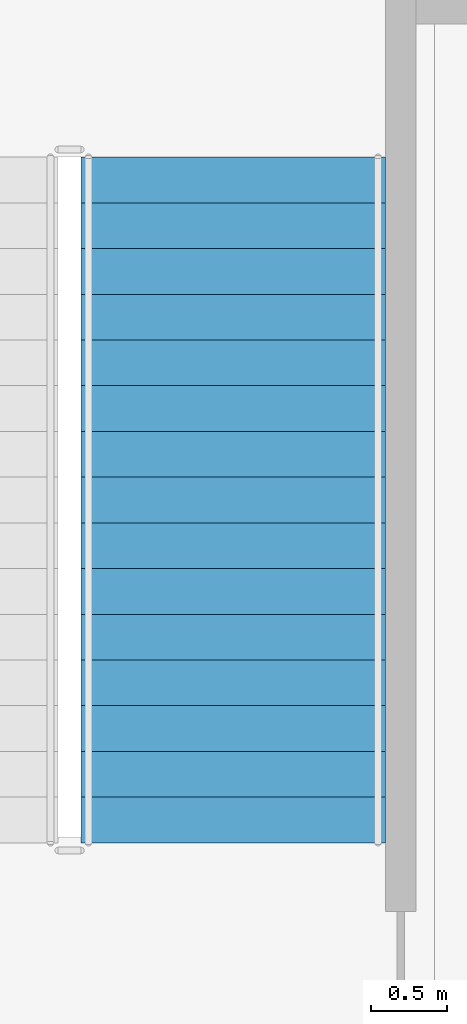
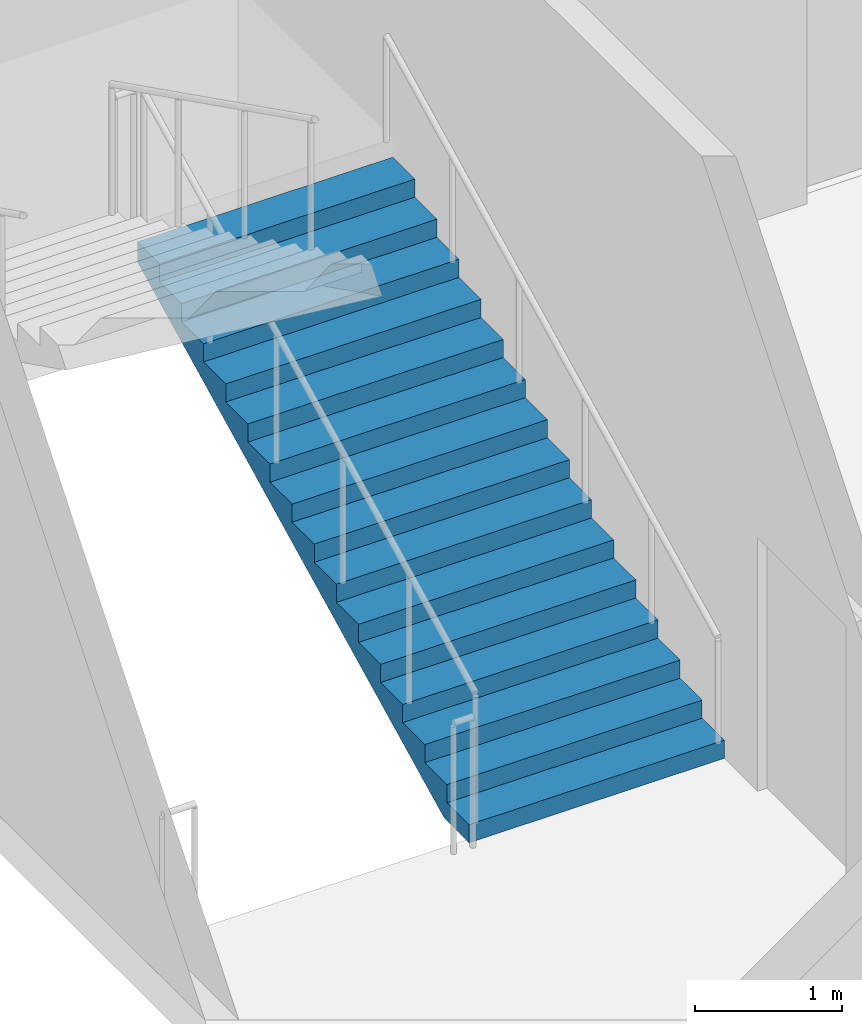
# One storey, part 53 of 67: 1 stair flight, 1 element without a shape of its own.
"""IFC4 building model written with IfcOpenShell, lengths in metres."""

from ifc_helpers import new_model, si_unit, direction, frame, origin, place, context, subcontext, project, spatial, faceted_brep, material, type_object, element, aggregate, save


model = new_model("IFC4")

# Units and contexts
model_context = context("Model", 3, precision=1e-05, world=origin(), true_north=direction((0.0, 1.0)))
body_context = subcontext(model_context, "Body", "Model", "MODEL_VIEW")
ifc_project = project(units=[si_unit("LENGTHUNIT", "METRE"), si_unit("AREAUNIT", "SQUARE_METRE"), si_unit("VOLUMEUNIT", "CUBIC_METRE"), si_unit("PLANEANGLEUNIT", "RADIAN"), si_unit("MASSUNIT", "GRAM", prefix="KILO")], contexts=[model_context])

# Site, building, storey
site_placement = place(None, origin())
site = spatial("IfcSite", under=ifc_project, at=site_placement, CompositionType="ELEMENT")
building_placement = place(site_placement, origin())
building = spatial("IfcBuilding", under=site, at=building_placement, Name="Kiln Court Media Centre", CompositionType="ELEMENT")
storey_placement = place(building_placement, frame((0.0, 0.0, 19.800048828125)))
storey = spatial("IfcBuildingStorey", under=building, at=storey_placement, Name="L04", CompositionType="ELEMENT", Elevation=19.800048828125)

# Stair, stair flight
ifc_material_1 = material(Name="Concrete C40/50", Category="concrete")
stair_type = type_object("IfcStairType", Name="Concrete C40/50 dog-leg stair 2000 wide, 150 riser", PredefinedType="HALF_TURN_STAIR", material=ifc_material_1)
stair_placement = place(storey_placement, origin())
stair = element("IfcStair", 1, at=stair_placement, inside=storey, type_object=stair_type, Name="ST-06 L04", PredefinedType="HALF_TURN_STAIR")
ifc_material_2 = material(Name="Concrete C40/50", Category="concrete")
stair_flight_type = type_object("IfcStairFlightType", Name="Concrete C40/50 stair flight 2000 wide, 150 riser, 300 going", PredefinedType="STRAIGHT", material=ifc_material_2)
stair_flight_placement = place(storey_placement, frame((3.60009765625, 36.39990234375, 0.0), z_axis=(0.0, 0.0, 1.0), x_axis=(0.0, 1.0, 0.0)))
stair_flight = element("IfcStairFlight", 2, at=stair_flight_placement, type_object=stair_flight_type, Name="L04-ST-5003 flight 5006", NumberOfRisers=16, NumberOfTreads=15, PredefinedType="STRAIGHT", RiserHeight=0.15, TreadLength=0.3, context=body_context, shape_type="Brep", body=[
    faceted_brep([(0.335205078125, -1.0, 0.0), (4.5, -1.0, 2.08251953125), (4.5, -1.0, 2.25), (4.199951171875, -1.0, 2.25), (4.199951171875, -1.0, 2.10009765625), (3.89990234375, -1.0, 2.10009765625), (3.89990234375, -1.0, 1.949951171875), (3.60009765625, -1.0, 1.949951171875), (3.60009765625, -1.0, 1.800048828125), (3.300048828125, -1.0, 1.800048828125), (3.300048828125, -1.0, 1.64990234375), (3.0, -1.0, 1.64990234375), (3.0, -1.0, 1.5), (2.699951171875, -1.0, 1.5), (2.699951171875, -1.0, 1.35009765625), (2.39990234375, -1.0, 1.35009765625), (2.39990234375, -1.0, 1.199951171875), (2.10009765625, -1.0, 1.199951171875), (2.10009765625, -1.0, 1.050048828125), (1.800048828125, -1.0, 1.050048828125), (1.800048828125, -1.0, 0.89990234375), (1.5, -1.0, 0.89990234375), (1.5, -1.0, 0.75), (1.199951171875, -1.0, 0.75), (1.199951171875, -1.0, 0.60009765625), (0.89990234375, -1.0, 0.60009765625), (0.89990234375, -1.0, 0.449951171875), (0.60009765625, -1.0, 0.449951171875), (0.60009765625, -1.0, 0.300048828125), (0.300048828125, -1.0, 0.300048828125), (0.300048828125, -1.0, 0.14990234375), (0.0, -1.0, 0.14990234375), (0.0, -1.0, 0.0), (0.0, 1.0, 0.0), (0.0, 1.0, 0.14990234375), (0.300048828125, 1.0, 0.14990234375), (0.300048828125, 1.0, 0.300048828125), (0.60009765625, 1.0, 0.300048828125), (0.60009765625, 1.0, 0.449951171875), (0.89990234375, 1.0, 0.449951171875), (0.89990234375, 1.0, 0.60009765625), (1.199951171875, 1.0, 0.60009765625), (1.199951171875, 1.0, 0.75), (1.5, 1.0, 0.75), (1.5, 1.0, 0.89990234375), (1.800048828125, 1.0, 0.89990234375), (1.800048828125, 1.0, 1.050048828125), (2.10009765625, 1.0, 1.050048828125), (2.10009765625, 1.0, 1.199951171875), (2.39990234375, 1.0, 1.199951171875), (2.39990234375, 1.0, 1.35009765625), (2.699951171875, 1.0, 1.35009765625), (2.699951171875, 1.0, 1.5), (3.0, 1.0, 1.5), (3.0, 1.0, 1.64990234375), (3.300048828125, 1.0, 1.64990234375), (3.300048828125, 1.0, 1.800048828125), (3.60009765625, 1.0, 1.800048828125), (3.60009765625, 1.0, 1.949951171875), (3.89990234375, 1.0, 1.949951171875), (3.89990234375, 1.0, 2.10009765625), (4.199951171875, 1.0, 2.10009765625), (4.199951171875, 1.0, 2.25), (4.5, 1.0, 2.25), (4.5, 1.0, 2.08251953125), (0.335205078125, 1.0, 0.0), (4.5, 0.10009765625, 2.08251953125), (0.335205078125, 0.10009765625, 0.0), (4.5, 0.080078125, 2.08251953125), (0.335205078125, 0.080078125, 0.0), (4.5, 0.06005859375, 2.08251953125), (0.335205078125, 0.06005859375, 0.0), (4.5, 0.0400390625, 2.08251953125), (0.335205078125, 0.0400390625, 0.0), (4.5, 0.02001953125, 2.08251953125), (0.335205078125, 0.02001953125, 0.0), (4.5, 0.0, 2.08251953125), (0.335205078125, 0.0, 0.0), (4.5, -0.02001953125, 2.08251953125), (0.335205078125, -0.02001953125, 0.0), (4.5, -0.0400390625, 2.08251953125), (0.335205078125, -0.0400390625, 0.0), (4.5, -0.06005859375, 2.08251953125), (0.335205078125, -0.06005859375, 0.0), (4.5, -0.080078125, 2.08251953125), (0.335205078125, -0.080078125, 0.0), (4.5, -0.10009765625, 2.08251953125), (0.335205078125, -0.10009765625, 0.0), (4.5, 0.10009765625, 2.25), (4.5, 0.080078125, 2.25), (4.5, 0.06005859375, 2.25), (4.5, 0.0400390625, 2.25), (4.5, 0.02001953125, 2.25), (4.5, 0.0, 2.25), (4.5, -0.02001953125, 2.25), (4.5, -0.0400390625, 2.25), (4.5, -0.06005859375, 2.25), (4.5, -0.080078125, 2.25), (4.5, -0.10009765625, 2.25), (4.199951171875, 0.10009765625, 2.25), (4.199951171875, 0.080078125, 2.25), (4.199951171875, 0.06005859375, 2.25), (4.199951171875, 0.0400390625, 2.25), (4.199951171875, 0.02001953125, 2.25), (4.199951171875, 0.0, 2.25), (4.199951171875, -0.02001953125, 2.25), (4.199951171875, -0.0400390625, 2.25), (4.199951171875, -0.06005859375, 2.25), (4.199951171875, -0.080078125, 2.25), (4.199951171875, -0.10009765625, 2.25), (4.199951171875, 0.10009765625, 2.10009765625), (4.199951171875, 0.080078125, 2.10009765625), (4.199951171875, 0.06005859375, 2.10009765625), (4.199951171875, 0.0400390625, 2.10009765625), (4.199951171875, 0.02001953125, 2.10009765625), (4.199951171875, 0.0, 2.10009765625), (4.199951171875, -0.02001953125, 2.10009765625), (4.199951171875, -0.0400390625, 2.10009765625), (4.199951171875, -0.06005859375, 2.10009765625), (4.199951171875, -0.080078125, 2.10009765625), (4.199951171875, -0.10009765625, 2.10009765625), (3.89990234375, 0.10009765625, 2.10009765625), (3.89990234375, 0.080078125, 2.10009765625), (3.89990234375, 0.06005859375, 2.10009765625), (3.89990234375, 0.0400390625, 2.10009765625), (3.89990234375, 0.02001953125, 2.10009765625), (3.89990234375, 0.0, 2.10009765625), (3.89990234375, -0.02001953125, 2.10009765625), (3.89990234375, -0.0400390625, 2.10009765625), (3.89990234375, -0.06005859375, 2.10009765625), (3.89990234375, -0.080078125, 2.10009765625), (3.89990234375, -0.10009765625, 2.10009765625), (3.89990234375, 0.10009765625, 1.949951171875), (3.89990234375, 0.080078125, 1.949951171875), (3.89990234375, 0.06005859375, 1.949951171875), (3.89990234375, 0.0400390625, 1.949951171875), (3.89990234375, 0.02001953125, 1.949951171875), (3.89990234375, 0.0, 1.949951171875), (3.89990234375, -0.02001953125, 1.949951171875), (3.89990234375, -0.0400390625, 1.949951171875), (3.89990234375, -0.06005859375, 1.949951171875), (3.89990234375, -0.080078125, 1.949951171875), (3.89990234375, -0.10009765625, 1.949951171875), (3.60009765625, 0.10009765625, 1.949951171875), (3.60009765625, 0.080078125, 1.949951171875), (3.60009765625, 0.06005859375, 1.949951171875), (3.60009765625, 0.0400390625, 1.949951171875), (3.60009765625, 0.02001953125, 1.949951171875), (3.60009765625, 0.0, 1.949951171875), (3.60009765625, -0.02001953125, 1.949951171875), (3.60009765625, -0.0400390625, 1.949951171875), (3.60009765625, -0.06005859375, 1.949951171875), (3.60009765625, -0.080078125, 1.949951171875), (3.60009765625, -0.10009765625, 1.949951171875), (3.60009765625, 0.10009765625, 1.800048828125), (3.60009765625, 0.080078125, 1.800048828125), (3.60009765625, 0.06005859375, 1.800048828125), (3.60009765625, 0.0400390625, 1.800048828125), (3.60009765625, 0.02001953125, 1.800048828125), (3.60009765625, 0.0, 1.800048828125), (3.60009765625, -0.02001953125, 1.800048828125), (3.60009765625, -0.0400390625, 1.800048828125), (3.60009765625, -0.06005859375, 1.800048828125), (3.60009765625, -0.080078125, 1.800048828125), (3.60009765625, -0.10009765625, 1.800048828125), (3.300048828125, 0.10009765625, 1.800048828125), (3.300048828125, 0.080078125, 1.800048828125), (3.300048828125, 0.06005859375, 1.800048828125), (3.300048828125, 0.0400390625, 1.800048828125), (3.300048828125, 0.02001953125, 1.800048828125), (3.300048828125, 0.0, 1.800048828125), (3.300048828125, -0.02001953125, 1.800048828125), (3.300048828125, -0.0400390625, 1.800048828125), (3.300048828125, -0.06005859375, 1.800048828125), (3.300048828125, -0.080078125, 1.800048828125), (3.300048828125, -0.10009765625, 1.800048828125), (3.300048828125, 0.10009765625, 1.64990234375), (3.300048828125, 0.080078125, 1.64990234375), (3.300048828125, 0.06005859375, 1.64990234375), (3.300048828125, 0.0400390625, 1.64990234375), (3.300048828125, 0.02001953125, 1.64990234375), (3.300048828125, 0.0, 1.64990234375), (3.300048828125, -0.02001953125, 1.64990234375), (3.300048828125, -0.0400390625, 1.64990234375), (3.300048828125, -0.06005859375, 1.64990234375), (3.300048828125, -0.080078125, 1.64990234375), (3.300048828125, -0.10009765625, 1.64990234375), (3.0, 0.10009765625, 1.64990234375), (3.0, 0.080078125, 1.64990234375), (3.0, 0.06005859375, 1.64990234375), (3.0, 0.0400390625, 1.64990234375), (3.0, 0.02001953125, 1.64990234375), (3.0, 0.0, 1.64990234375), (3.0, -0.02001953125, 1.64990234375), (3.0, -0.0400390625, 1.64990234375), (3.0, -0.06005859375, 1.64990234375), (3.0, -0.080078125, 1.64990234375), (3.0, -0.10009765625, 1.64990234375), (3.0, 0.10009765625, 1.5), (3.0, 0.080078125, 1.5), (3.0, 0.06005859375, 1.5), (3.0, 0.0400390625, 1.5), (3.0, 0.02001953125, 1.5), (3.0, 0.0, 1.5), (3.0, -0.02001953125, 1.5), (3.0, -0.0400390625, 1.5), (3.0, -0.06005859375, 1.5), (3.0, -0.080078125, 1.5), (3.0, -0.10009765625, 1.5), (2.699951171875, 0.10009765625, 1.5), (2.699951171875, 0.080078125, 1.5), (2.699951171875, 0.06005859375, 1.5), (2.699951171875, 0.0400390625, 1.5), (2.699951171875, 0.02001953125, 1.5), (2.699951171875, 0.0, 1.5), (2.699951171875, -0.02001953125, 1.5), (2.699951171875, -0.0400390625, 1.5), (2.699951171875, -0.06005859375, 1.5), (2.699951171875, -0.080078125, 1.5), (2.699951171875, -0.10009765625, 1.5), (2.699951171875, 0.10009765625, 1.35009765625), (2.699951171875, 0.080078125, 1.35009765625), (2.699951171875, 0.06005859375, 1.35009765625), (2.699951171875, 0.0400390625, 1.35009765625), (2.699951171875, 0.02001953125, 1.35009765625), (2.699951171875, 0.0, 1.35009765625), (2.699951171875, -0.02001953125, 1.35009765625), (2.699951171875, -0.0400390625, 1.35009765625), (2.699951171875, -0.06005859375, 1.35009765625), (2.699951171875, -0.080078125, 1.35009765625), (2.699951171875, -0.10009765625, 1.35009765625), (2.39990234375, 0.10009765625, 1.35009765625), (2.39990234375, 0.080078125, 1.35009765625), (2.39990234375, 0.06005859375, 1.35009765625), (2.39990234375, 0.0400390625, 1.35009765625), (2.39990234375, 0.02001953125, 1.35009765625), (2.39990234375, 0.0, 1.35009765625), (2.39990234375, -0.02001953125, 1.35009765625), (2.39990234375, -0.0400390625, 1.35009765625), (2.39990234375, -0.06005859375, 1.35009765625), (2.39990234375, -0.080078125, 1.35009765625), (2.39990234375, -0.10009765625, 1.35009765625), (2.39990234375, 0.10009765625, 1.199951171875), (2.39990234375, 0.080078125, 1.199951171875), (2.39990234375, 0.06005859375, 1.199951171875), (2.39990234375, 0.0400390625, 1.199951171875), (2.39990234375, 0.02001953125, 1.199951171875), (2.39990234375, 0.0, 1.199951171875), (2.39990234375, -0.02001953125, 1.199951171875), (2.39990234375, -0.0400390625, 1.199951171875), (2.39990234375, -0.06005859375, 1.199951171875), (2.39990234375, -0.080078125, 1.199951171875), (2.39990234375, -0.10009765625, 1.199951171875), (2.10009765625, 0.10009765625, 1.199951171875), (2.10009765625, 0.080078125, 1.199951171875), (2.10009765625, 0.06005859375, 1.199951171875), (2.10009765625, 0.0400390625, 1.199951171875), (2.10009765625, 0.02001953125, 1.199951171875), (2.10009765625, 0.0, 1.199951171875), (2.10009765625, -0.02001953125, 1.199951171875), (2.10009765625, -0.0400390625, 1.199951171875), (2.10009765625, -0.06005859375, 1.199951171875), (2.10009765625, -0.080078125, 1.199951171875), (2.10009765625, -0.10009765625, 1.199951171875), (2.10009765625, 0.10009765625, 1.050048828125), (2.10009765625, 0.080078125, 1.050048828125), (2.10009765625, 0.06005859375, 1.050048828125), (2.10009765625, 0.0400390625, 1.050048828125), (2.10009765625, 0.02001953125, 1.050048828125), (2.10009765625, 0.0, 1.050048828125), (2.10009765625, -0.02001953125, 1.050048828125), (2.10009765625, -0.0400390625, 1.050048828125), (2.10009765625, -0.06005859375, 1.050048828125), (2.10009765625, -0.080078125, 1.050048828125), (2.10009765625, -0.10009765625, 1.050048828125), (1.800048828125, 0.10009765625, 1.050048828125), (1.800048828125, 0.080078125, 1.050048828125), (1.800048828125, 0.06005859375, 1.050048828125), (1.800048828125, 0.0400390625, 1.050048828125), (1.800048828125, 0.02001953125, 1.050048828125), (1.800048828125, 0.0, 1.050048828125), (1.800048828125, -0.02001953125, 1.050048828125), (1.800048828125, -0.0400390625, 1.050048828125), (1.800048828125, -0.06005859375, 1.050048828125), (1.800048828125, -0.080078125, 1.050048828125), (1.800048828125, -0.10009765625, 1.050048828125), (1.800048828125, 0.10009765625, 0.89990234375), (1.800048828125, 0.080078125, 0.89990234375), (1.800048828125, 0.06005859375, 0.89990234375), (1.800048828125, 0.0400390625, 0.89990234375), (1.800048828125, 0.02001953125, 0.89990234375), (1.800048828125, 0.0, 0.89990234375), (1.800048828125, -0.02001953125, 0.89990234375), (1.800048828125, -0.0400390625, 0.89990234375), (1.800048828125, -0.06005859375, 0.89990234375), (1.800048828125, -0.080078125, 0.89990234375), (1.800048828125, -0.10009765625, 0.89990234375), (1.5, 0.10009765625, 0.89990234375), (1.5, 0.080078125, 0.89990234375), (1.5, 0.06005859375, 0.89990234375), (1.5, 0.0400390625, 0.89990234375), (1.5, 0.02001953125, 0.89990234375), (1.5, 0.0, 0.89990234375), (1.5, -0.02001953125, 0.89990234375), (1.5, -0.0400390625, 0.89990234375), (1.5, -0.06005859375, 0.89990234375), (1.5, -0.080078125, 0.89990234375), (1.5, -0.10009765625, 0.89990234375), (1.5, 0.10009765625, 0.75), (1.5, 0.080078125, 0.75), (1.5, 0.06005859375, 0.75), (1.5, 0.0400390625, 0.75), (1.5, 0.02001953125, 0.75), (1.5, 0.0, 0.75), (1.5, -0.02001953125, 0.75), (1.5, -0.0400390625, 0.75), (1.5, -0.06005859375, 0.75), (1.5, -0.080078125, 0.75), (1.5, -0.10009765625, 0.75), (1.199951171875, 0.10009765625, 0.75), (1.199951171875, 0.080078125, 0.75), (1.199951171875, 0.06005859375, 0.75), (1.199951171875, 0.0400390625, 0.75), (1.199951171875, 0.02001953125, 0.75), (1.199951171875, 0.0, 0.75), (1.199951171875, -0.02001953125, 0.75), (1.199951171875, -0.0400390625, 0.75), (1.199951171875, -0.06005859375, 0.75), (1.199951171875, -0.080078125, 0.75), (1.199951171875, -0.10009765625, 0.75), (1.199951171875, 0.10009765625, 0.60009765625), (1.199951171875, 0.080078125, 0.60009765625), (1.199951171875, 0.06005859375, 0.60009765625), (1.199951171875, 0.0400390625, 0.60009765625), (1.199951171875, 0.02001953125, 0.60009765625), (1.199951171875, 0.0, 0.60009765625), (1.199951171875, -0.02001953125, 0.60009765625), (1.199951171875, -0.0400390625, 0.60009765625), (1.199951171875, -0.06005859375, 0.60009765625), (1.199951171875, -0.080078125, 0.60009765625), (1.199951171875, -0.10009765625, 0.60009765625), (0.89990234375, 0.10009765625, 0.60009765625), (0.89990234375, 0.080078125, 0.60009765625), (0.89990234375, 0.06005859375, 0.60009765625), (0.89990234375, 0.0400390625, 0.60009765625), (0.89990234375, 0.02001953125, 0.60009765625), (0.89990234375, 0.0, 0.60009765625), (0.89990234375, -0.02001953125, 0.60009765625), (0.89990234375, -0.0400390625, 0.60009765625), (0.89990234375, -0.06005859375, 0.60009765625), (0.89990234375, -0.080078125, 0.60009765625), (0.89990234375, -0.10009765625, 0.60009765625), (0.89990234375, 0.10009765625, 0.449951171875), (0.89990234375, 0.080078125, 0.449951171875), (0.89990234375, 0.06005859375, 0.449951171875), (0.89990234375, 0.0400390625, 0.449951171875), (0.89990234375, 0.02001953125, 0.449951171875), (0.89990234375, 0.0, 0.449951171875), (0.89990234375, -0.02001953125, 0.449951171875), (0.89990234375, -0.0400390625, 0.449951171875), (0.89990234375, -0.06005859375, 0.449951171875), (0.89990234375, -0.080078125, 0.449951171875), (0.89990234375, -0.10009765625, 0.449951171875), (0.60009765625, 0.10009765625, 0.449951171875), (0.60009765625, 0.080078125, 0.449951171875), (0.60009765625, 0.06005859375, 0.449951171875), (0.60009765625, 0.0400390625, 0.449951171875), (0.60009765625, 0.02001953125, 0.449951171875), (0.60009765625, 0.0, 0.449951171875), (0.60009765625, -0.02001953125, 0.449951171875), (0.60009765625, -0.0400390625, 0.449951171875), (0.60009765625, -0.06005859375, 0.449951171875), (0.60009765625, -0.080078125, 0.449951171875), (0.60009765625, -0.10009765625, 0.449951171875), (0.60009765625, 0.10009765625, 0.300048828125), (0.60009765625, 0.080078125, 0.300048828125), (0.60009765625, 0.06005859375, 0.300048828125), (0.60009765625, 0.0400390625, 0.300048828125), (0.60009765625, 0.02001953125, 0.300048828125), (0.60009765625, 0.0, 0.300048828125), (0.60009765625, -0.02001953125, 0.300048828125), (0.60009765625, -0.0400390625, 0.300048828125), (0.60009765625, -0.06005859375, 0.300048828125), (0.60009765625, -0.080078125, 0.300048828125), (0.60009765625, -0.10009765625, 0.300048828125), (0.300048828125, 0.10009765625, 0.300048828125), (0.300048828125, 0.080078125, 0.300048828125), (0.300048828125, 0.06005859375, 0.300048828125), (0.300048828125, 0.0400390625, 0.300048828125), (0.300048828125, 0.02001953125, 0.300048828125), (0.300048828125, 0.0, 0.300048828125), (0.300048828125, -0.02001953125, 0.300048828125), (0.300048828125, -0.0400390625, 0.300048828125), (0.300048828125, -0.06005859375, 0.300048828125), (0.300048828125, -0.080078125, 0.300048828125), (0.300048828125, -0.10009765625, 0.300048828125), (0.300048828125, 0.10009765625, 0.14990234375), (0.300048828125, 0.080078125, 0.14990234375), (0.300048828125, 0.06005859375, 0.14990234375), (0.300048828125, 0.0400390625, 0.14990234375), (0.300048828125, 0.02001953125, 0.14990234375), (0.300048828125, 0.0, 0.14990234375), (0.300048828125, -0.02001953125, 0.14990234375), (0.300048828125, -0.0400390625, 0.14990234375), (0.300048828125, -0.06005859375, 0.14990234375), (0.300048828125, -0.080078125, 0.14990234375), (0.300048828125, -0.10009765625, 0.14990234375), (0.0, 0.10009765625, 0.14990234375), (0.0, 0.080078125, 0.14990234375), (0.0, 0.06005859375, 0.14990234375), (0.0, 0.0400390625, 0.14990234375), (0.0, 0.02001953125, 0.14990234375), (0.0, 0.0, 0.14990234375), (0.0, -0.02001953125, 0.14990234375), (0.0, -0.0400390625, 0.14990234375), (0.0, -0.06005859375, 0.14990234375), (0.0, -0.080078125, 0.14990234375), (0.0, -0.10009765625, 0.14990234375), (0.0, 0.10009765625, 0.0), (0.0, 0.080078125, 0.0), (0.0, 0.06005859375, 0.0), (0.0, 0.0400390625, 0.0), (0.0, 0.02001953125, 0.0), (0.0, 0.0, 0.0), (0.0, -0.02001953125, 0.0), (0.0, -0.0400390625, 0.0), (0.0, -0.06005859375, 0.0), (0.0, -0.080078125, 0.0), (0.0, -0.10009765625, 0.0)], [[[0, 1, 2, 3, 4, 5, 6, 7, 8, 9, 10, 11, 12, 13, 14, 15, 16, 17, 18, 19, 20, 21, 22, 23, 24, 25, 26, 27, 28, 29, 30, 31, 32]], [[33, 34, 35, 36, 37, 38, 39, 40, 41, 42, 43, 44, 45, 46, 47, 48, 49, 50, 51, 52, 53, 54, 55, 56, 57, 58, 59, 60, 61, 62, 63, 64, 65]], [[65, 64, 66, 67]], [[67, 66, 68, 69]], [[69, 68, 70, 71]], [[71, 70, 72, 73]], [[73, 72, 74, 75]], [[75, 74, 76, 77]], [[77, 76, 78, 79]], [[79, 78, 80, 81]], [[81, 80, 82, 83]], [[83, 82, 84, 85]], [[85, 84, 86, 87]], [[87, 86, 1, 0]], [[64, 63, 88, 66]], [[66, 88, 89, 68]], [[68, 89, 90, 70]], [[70, 90, 91, 72]], [[72, 91, 92, 74]], [[74, 92, 93, 76]], [[76, 93, 94, 78]], [[78, 94, 95, 80]], [[80, 95, 96, 82]], [[82, 96, 97, 84]], [[84, 97, 98, 86]], [[86, 98, 2, 1]], [[63, 62, 99, 88]], [[88, 99, 100, 89]], [[89, 100, 101, 90]], [[90, 101, 102, 91]], [[91, 102, 103, 92]], [[92, 103, 104, 93]], [[93, 104, 105, 94]], [[94, 105, 106, 95]], [[95, 106, 107, 96]], [[96, 107, 108, 97]], [[97, 108, 109, 98]], [[98, 109, 3, 2]], [[62, 61, 110, 99]], [[99, 110, 111, 100]], [[100, 111, 112, 101]], [[101, 112, 113, 102]], [[102, 113, 114, 103]], [[103, 114, 115, 104]], [[104, 115, 116, 105]], [[105, 116, 117, 106]], [[106, 117, 118, 107]], [[107, 118, 119, 108]], [[108, 119, 120, 109]], [[109, 120, 4, 3]], [[61, 60, 121, 110]], [[110, 121, 122, 111]], [[111, 122, 123, 112]], [[112, 123, 124, 113]], [[113, 124, 125, 114]], [[114, 125, 126, 115]], [[115, 126, 127, 116]], [[116, 127, 128, 117]], [[117, 128, 129, 118]], [[118, 129, 130, 119]], [[119, 130, 131, 120]], [[120, 131, 5, 4]], [[60, 59, 132, 121]], [[121, 132, 133, 122]], [[122, 133, 134, 123]], [[123, 134, 135, 124]], [[124, 135, 136, 125]], [[125, 136, 137, 126]], [[126, 137, 138, 127]], [[127, 138, 139, 128]], [[128, 139, 140, 129]], [[129, 140, 141, 130]], [[130, 141, 142, 131]], [[131, 142, 6, 5]], [[59, 58, 143, 132]], [[132, 143, 144, 133]], [[133, 144, 145, 134]], [[134, 145, 146, 135]], [[135, 146, 147, 136]], [[136, 147, 148, 137]], [[137, 148, 149, 138]], [[138, 149, 150, 139]], [[139, 150, 151, 140]], [[140, 151, 152, 141]], [[141, 152, 153, 142]], [[142, 153, 7, 6]], [[58, 57, 154, 143]], [[143, 154, 155, 144]], [[144, 155, 156, 145]], [[145, 156, 157, 146]], [[146, 157, 158, 147]], [[147, 158, 159, 148]], [[148, 159, 160, 149]], [[149, 160, 161, 150]], [[150, 161, 162, 151]], [[151, 162, 163, 152]], [[152, 163, 164, 153]], [[153, 164, 8, 7]], [[57, 56, 165, 154]], [[154, 165, 166, 155]], [[155, 166, 167, 156]], [[156, 167, 168, 157]], [[157, 168, 169, 158]], [[158, 169, 170, 159]], [[159, 170, 171, 160]], [[160, 171, 172, 161]], [[161, 172, 173, 162]], [[162, 173, 174, 163]], [[163, 174, 175, 164]], [[164, 175, 9, 8]], [[56, 55, 176, 165]], [[165, 176, 177, 166]], [[166, 177, 178, 167]], [[167, 178, 179, 168]], [[168, 179, 180, 169]], [[169, 180, 181, 170]], [[170, 181, 182, 171]], [[171, 182, 183, 172]], [[172, 183, 184, 173]], [[173, 184, 185, 174]], [[174, 185, 186, 175]], [[175, 186, 10, 9]], [[55, 54, 187, 176]], [[176, 187, 188, 177]], [[177, 188, 189, 178]], [[178, 189, 190, 179]], [[179, 190, 191, 180]], [[180, 191, 192, 181]], [[181, 192, 193, 182]], [[182, 193, 194, 183]], [[183, 194, 195, 184]], [[184, 195, 196, 185]], [[185, 196, 197, 186]], [[186, 197, 11, 10]], [[54, 53, 198, 187]], [[187, 198, 199, 188]], [[188, 199, 200, 189]], [[189, 200, 201, 190]], [[190, 201, 202, 191]], [[191, 202, 203, 192]], [[192, 203, 204, 193]], [[193, 204, 205, 194]], [[194, 205, 206, 195]], [[195, 206, 207, 196]], [[196, 207, 208, 197]], [[197, 208, 12, 11]], [[53, 52, 209, 198]], [[198, 209, 210, 199]], [[199, 210, 211, 200]], [[200, 211, 212, 201]], [[201, 212, 213, 202]], [[202, 213, 214, 203]], [[203, 214, 215, 204]], [[204, 215, 216, 205]], [[205, 216, 217, 206]], [[206, 217, 218, 207]], [[207, 218, 219, 208]], [[208, 219, 13, 12]], [[52, 51, 220, 209]], [[209, 220, 221, 210]], [[210, 221, 222, 211]], [[211, 222, 223, 212]], [[212, 223, 224, 213]], [[213, 224, 225, 214]], [[214, 225, 226, 215]], [[215, 226, 227, 216]], [[216, 227, 228, 217]], [[217, 228, 229, 218]], [[218, 229, 230, 219]], [[219, 230, 14, 13]], [[51, 50, 231, 220]], [[220, 231, 232, 221]], [[221, 232, 233, 222]], [[222, 233, 234, 223]], [[223, 234, 235, 224]], [[224, 235, 236, 225]], [[225, 236, 237, 226]], [[226, 237, 238, 227]], [[227, 238, 239, 228]], [[228, 239, 240, 229]], [[229, 240, 241, 230]], [[230, 241, 15, 14]], [[50, 49, 242, 231]], [[231, 242, 243, 232]], [[232, 243, 244, 233]], [[233, 244, 245, 234]], [[234, 245, 246, 235]], [[235, 246, 247, 236]], [[236, 247, 248, 237]], [[237, 248, 249, 238]], [[238, 249, 250, 239]], [[239, 250, 251, 240]], [[240, 251, 252, 241]], [[241, 252, 16, 15]], [[49, 48, 253, 242]], [[242, 253, 254, 243]], [[243, 254, 255, 244]], [[244, 255, 256, 245]], [[245, 256, 257, 246]], [[246, 257, 258, 247]], [[247, 258, 259, 248]], [[248, 259, 260, 249]], [[249, 260, 261, 250]], [[250, 261, 262, 251]], [[251, 262, 263, 252]], [[252, 263, 17, 16]], [[48, 47, 264, 253]], [[253, 264, 265, 254]], [[254, 265, 266, 255]], [[255, 266, 267, 256]], [[256, 267, 268, 257]], [[257, 268, 269, 258]], [[258, 269, 270, 259]], [[259, 270, 271, 260]], [[260, 271, 272, 261]], [[261, 272, 273, 262]], [[262, 273, 274, 263]], [[263, 274, 18, 17]], [[47, 46, 275, 264]], [[264, 275, 276, 265]], [[265, 276, 277, 266]], [[266, 277, 278, 267]], [[267, 278, 279, 268]], [[268, 279, 280, 269]], [[269, 280, 281, 270]], [[270, 281, 282, 271]], [[271, 282, 283, 272]], [[272, 283, 284, 273]], [[273, 284, 285, 274]], [[274, 285, 19, 18]], [[46, 45, 286, 275]], [[275, 286, 287, 276]], [[276, 287, 288, 277]], [[277, 288, 289, 278]], [[278, 289, 290, 279]], [[279, 290, 291, 280]], [[280, 291, 292, 281]], [[281, 292, 293, 282]], [[282, 293, 294, 283]], [[283, 294, 295, 284]], [[284, 295, 296, 285]], [[285, 296, 20, 19]], [[45, 44, 297, 286]], [[286, 297, 298, 287]], [[287, 298, 299, 288]], [[288, 299, 300, 289]], [[289, 300, 301, 290]], [[290, 301, 302, 291]], [[291, 302, 303, 292]], [[292, 303, 304, 293]], [[293, 304, 305, 294]], [[294, 305, 306, 295]], [[295, 306, 307, 296]], [[296, 307, 21, 20]], [[44, 43, 308, 297]], [[297, 308, 309, 298]], [[298, 309, 310, 299]], [[299, 310, 311, 300]], [[300, 311, 312, 301]], [[301, 312, 313, 302]], [[302, 313, 314, 303]], [[303, 314, 315, 304]], [[304, 315, 316, 305]], [[305, 316, 317, 306]], [[306, 317, 318, 307]], [[307, 318, 22, 21]], [[43, 42, 319, 308]], [[308, 319, 320, 309]], [[309, 320, 321, 310]], [[310, 321, 322, 311]], [[311, 322, 323, 312]], [[312, 323, 324, 313]], [[313, 324, 325, 314]], [[314, 325, 326, 315]], [[315, 326, 327, 316]], [[316, 327, 328, 317]], [[317, 328, 329, 318]], [[318, 329, 23, 22]], [[42, 41, 330, 319]], [[319, 330, 331, 320]], [[320, 331, 332, 321]], [[321, 332, 333, 322]], [[322, 333, 334, 323]], [[323, 334, 335, 324]], [[324, 335, 336, 325]], [[325, 336, 337, 326]], [[326, 337, 338, 327]], [[327, 338, 339, 328]], [[328, 339, 340, 329]], [[329, 340, 24, 23]], [[41, 40, 341, 330]], [[330, 341, 342, 331]], [[331, 342, 343, 332]], [[332, 343, 344, 333]], [[333, 344, 345, 334]], [[334, 345, 346, 335]], [[335, 346, 347, 336]], [[336, 347, 348, 337]], [[337, 348, 349, 338]], [[338, 349, 350, 339]], [[339, 350, 351, 340]], [[340, 351, 25, 24]], [[40, 39, 352, 341]], [[341, 352, 353, 342]], [[342, 353, 354, 343]], [[343, 354, 355, 344]], [[344, 355, 356, 345]], [[345, 356, 357, 346]], [[346, 357, 358, 347]], [[347, 358, 359, 348]], [[348, 359, 360, 349]], [[349, 360, 361, 350]], [[350, 361, 362, 351]], [[351, 362, 26, 25]], [[39, 38, 363, 352]], [[352, 363, 364, 353]], [[353, 364, 365, 354]], [[354, 365, 366, 355]], [[355, 366, 367, 356]], [[356, 367, 368, 357]], [[357, 368, 369, 358]], [[358, 369, 370, 359]], [[359, 370, 371, 360]], [[360, 371, 372, 361]], [[361, 372, 373, 362]], [[362, 373, 27, 26]], [[38, 37, 374, 363]], [[363, 374, 375, 364]], [[364, 375, 376, 365]], [[365, 376, 377, 366]], [[366, 377, 378, 367]], [[367, 378, 379, 368]], [[368, 379, 380, 369]], [[369, 380, 381, 370]], [[370, 381, 382, 371]], [[371, 382, 383, 372]], [[372, 383, 384, 373]], [[373, 384, 28, 27]], [[37, 36, 385, 374]], [[374, 385, 386, 375]], [[375, 386, 387, 376]], [[376, 387, 388, 377]], [[377, 388, 389, 378]], [[378, 389, 390, 379]], [[379, 390, 391, 380]], [[380, 391, 392, 381]], [[381, 392, 393, 382]], [[382, 393, 394, 383]], [[383, 394, 395, 384]], [[384, 395, 29, 28]], [[36, 35, 396, 385]], [[385, 396, 397, 386]], [[386, 397, 398, 387]], [[387, 398, 399, 388]], [[388, 399, 400, 389]], [[389, 400, 401, 390]], [[390, 401, 402, 391]], [[391, 402, 403, 392]], [[392, 403, 404, 393]], [[393, 404, 405, 394]], [[394, 405, 406, 395]], [[395, 406, 30, 29]], [[35, 34, 407, 396]], [[396, 407, 408, 397]], [[397, 408, 409, 398]], [[398, 409, 410, 399]], [[399, 410, 411, 400]], [[400, 411, 412, 401]], [[401, 412, 413, 402]], [[402, 413, 414, 403]], [[403, 414, 415, 404]], [[404, 415, 416, 405]], [[405, 416, 417, 406]], [[406, 417, 31, 30]], [[34, 33, 418, 407]], [[407, 418, 419, 408]], [[408, 419, 420, 409]], [[409, 420, 421, 410]], [[410, 421, 422, 411]], [[411, 422, 423, 412]], [[412, 423, 424, 413]], [[413, 424, 425, 414]], [[414, 425, 426, 415]], [[415, 426, 427, 416]], [[416, 427, 428, 417]], [[417, 428, 32, 31]], [[33, 65, 67, 418]], [[418, 67, 69, 419]], [[419, 69, 71, 420]], [[420, 71, 73, 421]], [[421, 73, 75, 422]], [[422, 75, 77, 423]], [[423, 77, 79, 424]], [[424, 79, 81, 425]], [[425, 81, 83, 426]], [[426, 83, 85, 427]], [[427, 85, 87, 428]], [[428, 87, 0, 32]]]),
])
aggregate(stair, [stair_flight])

save(model, "model.ifc")
